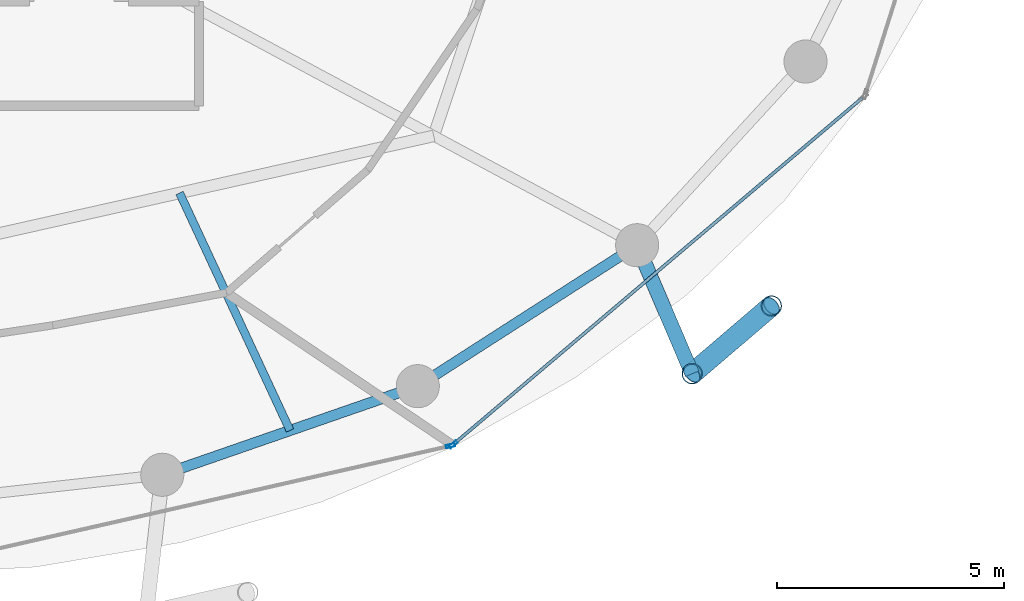
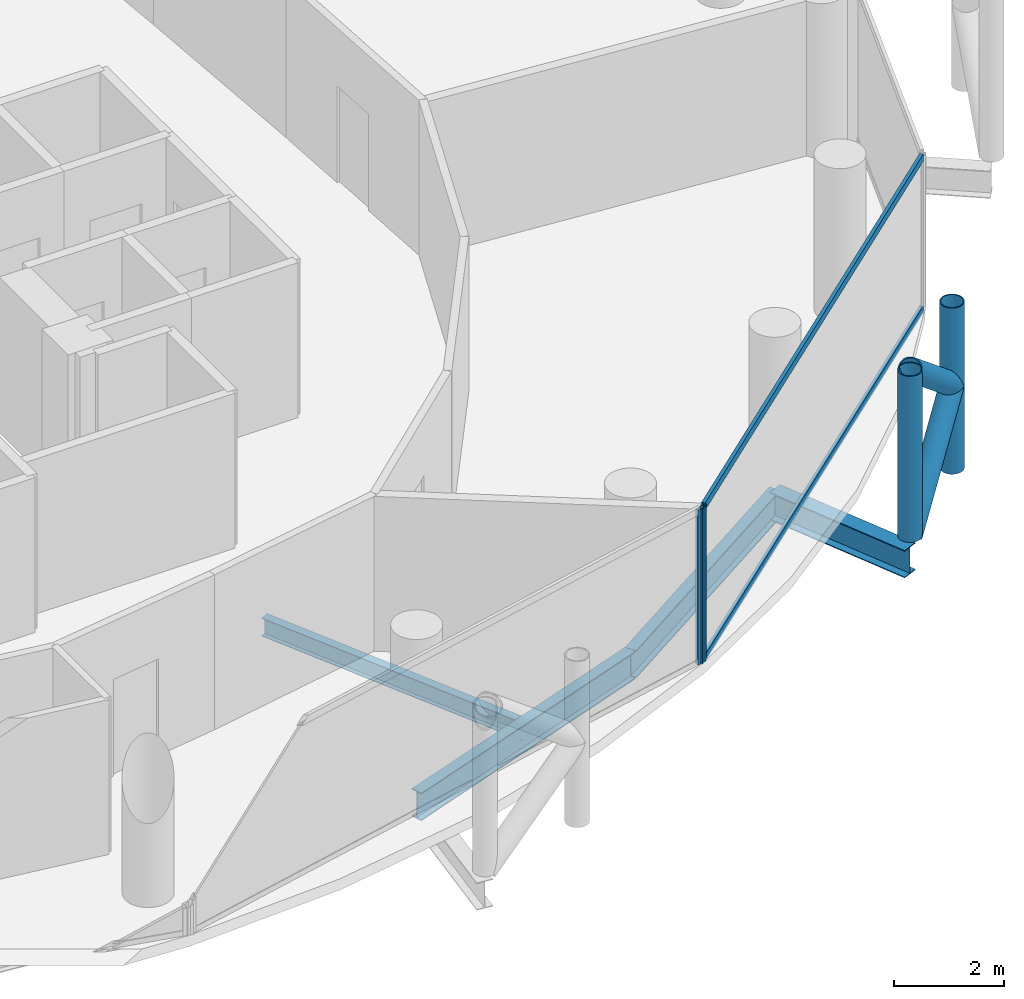
# One storey, part 8 of 26: 8 members, 4 beams, 2 elements without a shape of their own.
"""IFC4 building model written with IfcOpenShell, lengths in metres."""

from ifc_helpers import new_model, si_unit, direction, frame, origin, origin_2d, place, context, subcontext, project, spatial, hollow_rectangle, hollow_circle, i_section, extrude, material, layer, layer_set, material_profile, profile_set, type_object, element, aggregate, save


model = new_model("IFC4")

# Units and contexts
model_context = context("Model", 3, precision=1e-05, world=origin(), true_north=direction((0.0, 1.0)))
body_context = subcontext(model_context, "Body", "Model", "MODEL_VIEW")
ifc_project = project(units=[si_unit("LENGTHUNIT", "METRE"), si_unit("AREAUNIT", "SQUARE_METRE"), si_unit("VOLUMEUNIT", "CUBIC_METRE"), si_unit("PLANEANGLEUNIT", "RADIAN"), si_unit("MASSUNIT", "GRAM", prefix="KILO")], contexts=[model_context])

# Site, building, storey
site_placement = place(None, origin())
site = spatial("IfcSite", under=ifc_project, at=site_placement, CompositionType="ELEMENT")
building_placement = place(site_placement, origin())
building = spatial("IfcBuilding", under=site, at=building_placement, Name="Nuhasar Tower", CompositionType="ELEMENT")
storey_placement = place(building_placement, frame((0.0, 0.0, 170.050048828125)))
storey = spatial("IfcBuildingStorey", under=building, at=storey_placement, Name="L41", CompositionType="ELEMENT", Elevation=170.050048828125)

# Beams
ifc_material_1 = material(Name="Steel S355", Category="steel")
ifc_material_profile_1 = material_profile(ifc_material_1, i_section(OverallWidth=0.177978515625, OverallDepth=0.406005859375, WebThickness=0.0078125, FlangeThickness=0.0126953125, at=origin_2d()), Name="W16X40")
ifc_profile_set_1 = profile_set([ifc_material_profile_1], Name="Steel S355")
beam_type_1 = type_object("IfcBeamType", Name="BM-JST-W16X40", PredefinedType="JOIST", material=ifc_profile_set_1)
beam_1_placement = place(storey_placement, frame((45.424072265625, 14.1279296875, -0.453125), z_axis=(0.421729941201, -0.906721487941, 0.0), x_axis=(0.906721487941, 0.421729941201, 0.0)))
element("IfcBeam", 1, at=beam_1_placement, inside=storey, type_object=beam_type_1, Name="L41 Secondary Floor Joist 02", PredefinedType="JOIST", context=body_context, shape_type="SweptSolid", body=[
    extrude(i_section(OverallWidth=0.177978515625, OverallDepth=0.406005859375, WebThickness=0.0078125, FlangeThickness=0.0126953125, at=origin_2d()), origin(), (0.0, 0.0, 1.0), 5.7734375),
])
ifc_material_profile_2 = material_profile(ifc_material_1, i_section(OverallWidth=0.22998046875, OverallDepth=0.616943359375, WebThickness=0.01318359375, FlangeThickness=0.022216796875, at=origin_2d()), Name="W24X94")
ifc_profile_set_2 = profile_set([ifc_material_profile_2], Name="Steel S355")
beam_type_2 = type_object("IfcBeamType", Name="BM-RING-W24X94", PredefinedType="SPANDREL", material=ifc_profile_set_2)
beam_2_placement = place(storey_placement, frame((45.04296875, 7.916015625, -0.55810546875), z_axis=(0.944814057608, 0.327607076458, 0.0), x_axis=(-0.327607076458, 0.944814057608, 0.0)))
element("IfcBeam", 2, at=beam_2_placement, inside=storey, type_object=beam_type_2, Name="L41 Perimeter Ring Spandrel 20", PredefinedType="SPANDREL", context=body_context, shape_type="SweptSolid", body=[
    extrude(i_section(OverallWidth=0.22998046875, OverallDepth=0.616943359375, WebThickness=0.01318359375, FlangeThickness=0.022216796875, at=origin_2d()), origin(), (0.0, 0.0, 1.0), 5.9609375),
])
beam_3_placement = place(storey_placement, frame((50.675048828125, 9.868896484375, -0.55810546875), z_axis=(0.841308170616, 0.540555789955, 0.0), x_axis=(-0.540555789955, 0.841308170616, 0.0)))
element("IfcBeam", 3, at=beam_3_placement, inside=storey, type_object=beam_type_2, Name="L41 Perimeter Ring Spandrel 21", PredefinedType="SPANDREL", context=body_context, shape_type="SweptSolid", body=[
    extrude(i_section(OverallWidth=0.22998046875, OverallDepth=0.616943359375, WebThickness=0.01318359375, FlangeThickness=0.022216796875, at=origin_2d()), origin(), (0.0, 0.0, 1.0), 5.748046875),
])
ifc_material_profile_3 = material_profile(ifc_material_1, i_section(OverallWidth=0.323974609375, OverallDepth=0.611083984375, WebThickness=0.0126953125, FlangeThickness=0.01904296875, at=origin_2d()), Name="W24X104")
ifc_profile_set_3 = profile_set([ifc_material_profile_3], Name="Steel S355")
beam_type_3 = type_object("IfcBeamType", Name="BM-TIE-W24X104", PredefinedType="BEAM", material=ifc_profile_set_3)
beam_4_placement = place(storey_placement, frame((55.510986328125, 12.97607421875, -0.554931640625), z_axis=(0.39330721304, -0.919407111225, 0.0), x_axis=(0.919407111225, 0.39330721304, 0.0)))
element("IfcBeam", 4, at=beam_4_placement, inside=storey, type_object=beam_type_3, Name="L41 Exoskeleton Node Tie Beam 11", PredefinedType="BEAM", context=body_context, shape_type="SweptSolid", body=[
    extrude(i_section(OverallWidth=0.323974609375, OverallDepth=0.611083984375, WebThickness=0.0126953125, FlangeThickness=0.01904296875, at=origin_2d()), origin(), (0.0, 0.0, 1.0), 3.081298828125),
])

# Curtain wall, member
ifc_material_2 = material(Name="Aluminium 6063-T6", Category="aluminium")
ifc_layer = layer(ifc_material_2, 0.199951171875)
ifc_layer_set = layer_set([ifc_layer], Name="Aluminium 6063-T6")
curtain_wall_type = type_object("IfcCurtainWallType", Name="CW-Z2-HTL", PredefinedType="NOTDEFINED", material=ifc_layer_set)
curtain_wall_1_placement = place(storey_placement, origin())
curtain_wall_1 = element("IfcCurtainWall", 5, at=curtain_wall_1_placement, inside=storey, type_object=curtain_wall_type, Name="L41 Unitised Curtain Wall 10", PredefinedType="NOTDEFINED")
ifc_material_profile_4 = material_profile(ifc_material_2, hollow_rectangle(XDim=0.070068359375, YDim=0.199951171875, WallThickness=0.0048828125, at=origin_2d()), Name="CWM-3")
ifc_profile_set_4 = profile_set([ifc_material_profile_4], Name="Aluminium 6063-T6")
member_type_1 = type_object("IfcMemberType", Name="CW-MUL-S3", PredefinedType="MULLION", material=ifc_profile_set_4)
member_1_placement = place(storey_placement, frame((51.395751953125, 8.55419921875, 0.0), z_axis=(0.0, 0.0, 1.0), x_axis=(-0.22139729566, 0.975183694221, 0.0)))
member_1 = element("IfcMember", 6, at=member_1_placement, type_object=member_type_1, Name="CW-Z2 mullion 2", PredefinedType="MULLION", context=body_context, shape_type="SweptSolid", body=[
    extrude(hollow_rectangle(XDim=0.070068359375, YDim=0.199951171875, WallThickness=0.0048828125, at=origin_2d()), origin(), (0.0, 0.0, 1.0), 3.449951171875),
])
aggregate(curtain_wall_1, [member_1])

# Curtain wall, members
curtain_wall_2_placement = place(storey_placement, origin())
curtain_wall_2 = element("IfcCurtainWall", 7, at=curtain_wall_2_placement, inside=storey, type_object=curtain_wall_type, Name="L41 Unitised Curtain Wall 11", PredefinedType="NOTDEFINED")
member_2_placement = place(storey_placement, frame((51.456787109375, 8.584716796875, 0.0), z_axis=(0.0, 0.0, 1.0), x_axis=(-0.646374438324, 0.763020370292, 0.0)))
member_2 = element("IfcMember", 8, at=member_2_placement, type_object=member_type_1, Name="CW-Z2 mullion 1", PredefinedType="MULLION", context=body_context, shape_type="SweptSolid", body=[
    extrude(hollow_rectangle(XDim=0.070068359375, YDim=0.199951171875, WallThickness=0.0048828125, at=origin_2d()), origin(), (0.0, 0.0, 1.0), 3.449951171875),
])
ifc_material_profile_5 = material_profile(ifc_material_2, hollow_rectangle(XDim=0.070068359375, YDim=0.159912109375, WallThickness=0.00439453125, at=origin_2d()), Name="CWT-3")
ifc_profile_set_5 = profile_set([ifc_material_profile_5], Name="Aluminium 6063-T6")
member_type_2 = type_object("IfcMemberType", Name="CW-TRN-S3", PredefinedType="USERDEFINED", material=ifc_profile_set_5)
member_3_placement = place(storey_placement, frame((51.4833984375, 8.607177734375, 0.034912109375), z_axis=(0.763013698099, 0.646382314511, 0.0), x_axis=(-0.646382314511, 0.763013698099, 0.0)))
member_3 = element("IfcMember", 9, at=member_3_placement, type_object=member_type_2, Name="CW-Z2 transom 1.1", ObjectType="TRANSOM", PredefinedType="USERDEFINED", context=body_context, shape_type="SweptSolid", body=[
    extrude(hollow_rectangle(XDim=0.070068359375, YDim=0.159912109375, WallThickness=0.00439453125, at=origin_2d()), origin(), (0.0, 0.0, 1.0), 11.78515625),
])
member_4_placement = place(storey_placement, frame((51.4833984375, 8.607177734375, 3.4150390625), z_axis=(0.763013698099, 0.646382314511, 0.0), x_axis=(-0.646382314511, 0.763013698099, 0.0)))
member_4 = element("IfcMember", 10, at=member_4_placement, type_object=member_type_2, Name="CW-Z2 transom 1.2", ObjectType="TRANSOM", PredefinedType="USERDEFINED", context=body_context, shape_type="SweptSolid", body=[
    extrude(hollow_rectangle(XDim=0.070068359375, YDim=0.159912109375, WallThickness=0.00439453125, at=origin_2d()), origin(), (0.0, 0.0, 1.0), 11.78515625),
])
aggregate(curtain_wall_2, [member_2, member_3, member_4])

# Members
ifc_material_3 = material(Name="Steel S460", Category="steel")
ifc_material_profile_6 = material_profile(ifc_material_3, hollow_circle(Radius=0.228515625, WallThickness=0.022216796875, at=origin_2d()), Name="HSS457X22.2")
ifc_profile_set_6 = profile_set([ifc_material_profile_6], Name="Steel S460")
member_type_3 = type_object("IfcMemberType", Name="EXO-BRONZE-457", PredefinedType="BRACE", material=ifc_profile_set_6)
for number, where, z_axis, x_axis, name in (
    (11, (56.722900390625, 10.14306640625, 0.0), (0.0, 0.0, 1.0), (1.0, 0.0, 0.0), "L41 Exoskeleton Chord Column EC-11A"),
    (12, (58.470947265625, 11.637939453125, 0.0), (0.0, 0.0, 1.0), (1.0, 0.0, 0.0), "L41 Exoskeleton Chord Column EC-11B"),
):
    element("IfcMember", number, at=place(storey_placement, frame(where, z_axis=z_axis, x_axis=x_axis)), inside=storey, type_object=member_type_3, Name=name, PredefinedType="BRACE", context=body_context, shape_type="SweptSolid", body=[
        extrude(hollow_circle(Radius=0.228515625, WallThickness=0.022216796875, at=origin_2d()), origin(), (0.0, 0.0, 1.0), 3.699951171875),
    ])
member_5_placement = place(storey_placement, frame((56.722900390625, 10.14306640625, 0.0), z_axis=(0.592225874743, 0.506452378638, 0.626717242029), x_axis=(-0.649925557156, 0.7599978751, 0.0)))
element("IfcMember", 13, at=member_5_placement, inside=storey, type_object=member_type_3, Name="L41 Bronze Diagrid Brace W1-11", PredefinedType="BRACE", context=body_context, shape_type="SweptSolid", body=[
    extrude(hollow_circle(Radius=0.228515625, WallThickness=0.022216796875, at=origin_2d()), origin(), (0.0, 0.0, 1.0), 2.95166015625),
])
member_6_placement = place(storey_placement, frame((58.470947265625, 11.637939453125, 1.849853515625), z_axis=(-0.592195175458, -0.506426125604, 0.626767463634), x_axis=(0.649925557156, -0.7599978751, 0.0)))
element("IfcMember", 14, at=member_6_placement, inside=storey, type_object=member_type_3, Name="L41 Bronze Diagrid Brace W2-11", PredefinedType="BRACE", context=body_context, shape_type="SweptSolid", body=[
    extrude(hollow_circle(Radius=0.228515625, WallThickness=0.022216796875, at=origin_2d()), origin(), (0.0, 0.0, 1.0), 2.951904296875),
])

save(model, "model.ifc")
